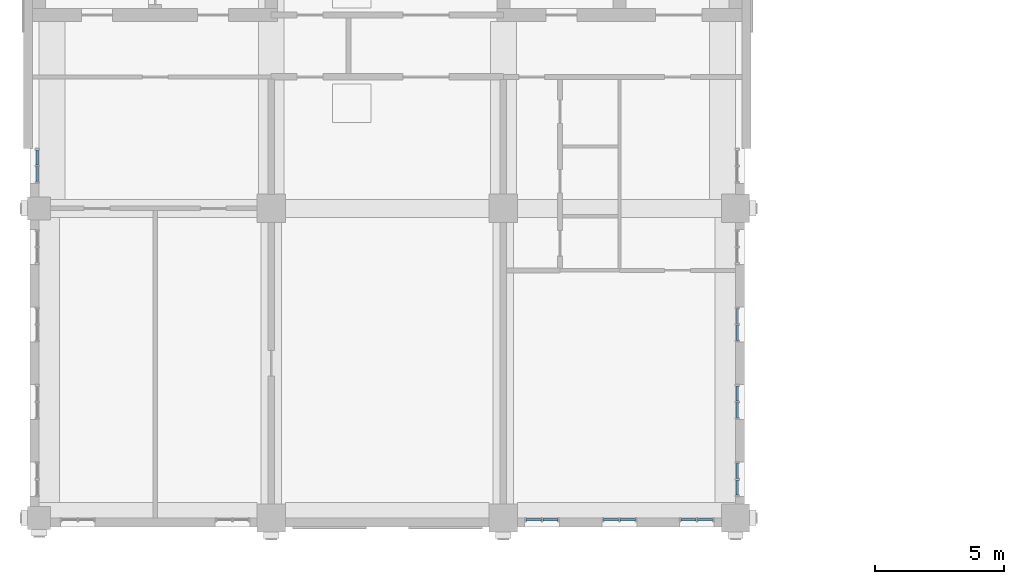
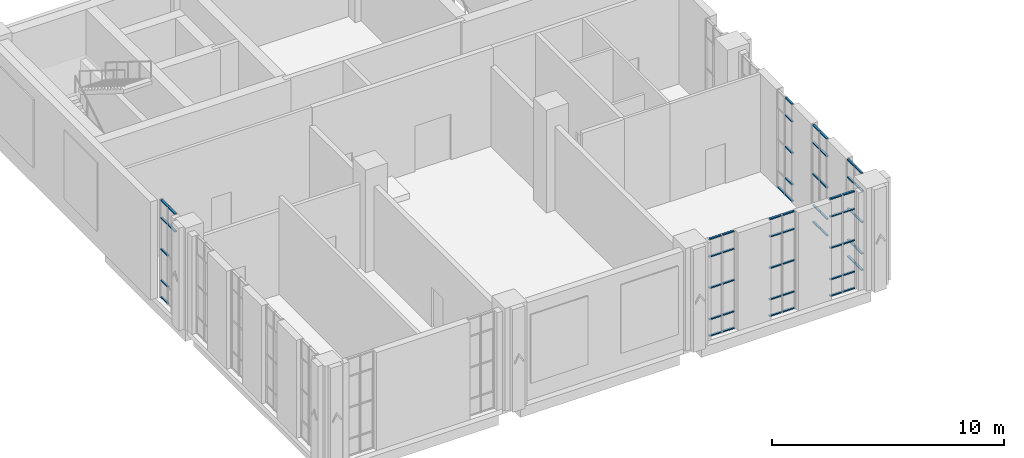
# One storey, part 7 of 25: 63 members, 7 elements without a shape of their own.
"""IFC4 building model written with IfcOpenShell, lengths in metres."""

from ifc_helpers import new_model, si_unit, direction, frame, origin, origin_2d, place, context, subcontext, project, spatial, rectangle, extrude, material, layer, layer_set, material_profile, profile_set, type_object, element, aggregate, save


model = new_model("IFC4")

# Units and contexts
model_context = context("Model", 3, precision=1e-05, world=origin(), true_north=direction((0.0, 1.0)))
body_context = subcontext(model_context, "Body", "Model", "MODEL_VIEW")
ifc_project = project(units=[si_unit("LENGTHUNIT", "METRE"), si_unit("AREAUNIT", "SQUARE_METRE"), si_unit("VOLUMEUNIT", "CUBIC_METRE"), si_unit("PLANEANGLEUNIT", "RADIAN"), si_unit("MASSUNIT", "GRAM", prefix="KILO")], contexts=[model_context])

# Site, building, storey
site_placement = place(None, origin())
site = spatial("IfcSite", under=ifc_project, at=site_placement, CompositionType="ELEMENT")
building_placement = place(site_placement, origin())
building = spatial("IfcBuilding", under=site, at=building_placement, Name="Aurelan Courthouse", CompositionType="ELEMENT")
storey_placement = place(building_placement, frame((0.0, 0.0, 33.60009765625)))
storey = spatial("IfcBuildingStorey", under=building, at=storey_placement, Name="L06", CompositionType="ELEMENT", Elevation=33.60009765625)

# Curtain wall, members
ifc_material_1 = material(Name="Bronze-finished aluminium and glass", Category="aluminium")
ifc_layer = layer(ifc_material_1, 0.14990234375)
ifc_layer_set = layer_set([ifc_layer], Name="Bronze-finished aluminium and glass")
curtain_wall_type = type_object("IfcCurtainWallType", Name="Curtain wall 1350 x 5150", PredefinedType="NOTDEFINED", material=ifc_layer_set)
curtain_wall_1_placement = place(storey_placement, origin())
curtain_wall_1 = element("IfcCurtainWall", 1, at=curtain_wall_1_placement, inside=storey, type_object=curtain_wall_type, Name="Curtain wall CW-V5-L06-S03", PredefinedType="NOTDEFINED")
ifc_material_2 = material(Name="Bronze-finished aluminium", Category="aluminium")
ifc_material_profile = material_profile(ifc_material_2, rectangle(XDim=0.10009765625, YDim=0.06005859375, at=origin_2d()), Name="Bronze transom 60 x 100")
ifc_profile_set = profile_set([ifc_material_profile], Name="Bronze-finished aluminium")
member_type = type_object("IfcMemberType", Name="Curtain wall transom 60 x 100", PredefinedType="USERDEFINED", material=ifc_profile_set)
member_1_placement = place(storey_placement, frame((18.885009765625, -0.074951171875, 0.02978515625), z_axis=(1.0, 0.0, 0.0), x_axis=(0.0, 1.0, 0.0)))
member_1 = element("IfcMember", 2, at=member_1_placement, type_object=member_type, Name="CW-V5-L06-S03 transom 1.1", ObjectType="TRANSOM", PredefinedType="USERDEFINED", context=body_context, shape_type="SweptSolid", body=[
    extrude(rectangle(XDim=0.10009765625, YDim=0.06005859375, at=origin_2d()), origin(), (0.0, 0.0, 1.0), 0.5849609375),
])
member_2_placement = place(storey_placement, frame((18.885009765625, -0.074951171875, 0.89990234375), z_axis=(1.0, 0.0, 0.0), x_axis=(0.0, 1.0, 0.0)))
member_2 = element("IfcMember", 3, at=member_2_placement, type_object=member_type, Name="CW-V5-L06-S03 transom 1.2", ObjectType="TRANSOM", PredefinedType="USERDEFINED", context=body_context, shape_type="SweptSolid", body=[
    extrude(rectangle(XDim=0.10009765625, YDim=0.06005859375, at=origin_2d()), origin(), (0.0, 0.0, 1.0), 0.5849609375),
])
member_3_placement = place(storey_placement, frame((18.885009765625, -0.074951171875, 2.5498046875), z_axis=(1.0, 0.0, 0.0), x_axis=(0.0, 1.0, 0.0)))
member_3 = element("IfcMember", 4, at=member_3_placement, type_object=member_type, Name="CW-V5-L06-S03 transom 1.3", ObjectType="TRANSOM", PredefinedType="USERDEFINED", context=body_context, shape_type="SweptSolid", body=[
    extrude(rectangle(XDim=0.10009765625, YDim=0.06005859375, at=origin_2d()), origin(), (0.0, 0.0, 1.0), 0.5849609375),
])
member_4_placement = place(storey_placement, frame((18.885009765625, -0.074951171875, 4.199951171875), z_axis=(1.0, 0.0, 0.0), x_axis=(0.0, 1.0, 0.0)))
member_4 = element("IfcMember", 5, at=member_4_placement, type_object=member_type, Name="CW-V5-L06-S03 transom 1.4", ObjectType="TRANSOM", PredefinedType="USERDEFINED", context=body_context, shape_type="SweptSolid", body=[
    extrude(rectangle(XDim=0.10009765625, YDim=0.06005859375, at=origin_2d()), origin(), (0.0, 0.0, 1.0), 0.5849609375),
])
member_5_placement = place(storey_placement, frame((18.885009765625, -0.074951171875, 5.119873046875), z_axis=(1.0, 0.0, 0.0), x_axis=(0.0, 1.0, 0.0)))
member_5 = element("IfcMember", 6, at=member_5_placement, type_object=member_type, Name="CW-V5-L06-S03 transom 1.5", ObjectType="TRANSOM", PredefinedType="USERDEFINED", context=body_context, shape_type="SweptSolid", body=[
    extrude(rectangle(XDim=0.10009765625, YDim=0.06005859375, at=origin_2d()), origin(), (0.0, 0.0, 1.0), 0.5849609375),
])
member_6_placement = place(storey_placement, frame((19.530029296875, -0.074951171875, 0.02978515625), z_axis=(1.0, 0.0, 0.0), x_axis=(0.0, 1.0, 0.0)))
member_6 = element("IfcMember", 7, at=member_6_placement, type_object=member_type, Name="CW-V5-L06-S03 transom 2.1", ObjectType="TRANSOM", PredefinedType="USERDEFINED", context=body_context, shape_type="SweptSolid", body=[
    extrude(rectangle(XDim=0.10009765625, YDim=0.06005859375, at=origin_2d()), origin(), (0.0, 0.0, 1.0), 0.5849609375),
])
member_7_placement = place(storey_placement, frame((19.530029296875, -0.074951171875, 0.89990234375), z_axis=(1.0, 0.0, 0.0), x_axis=(0.0, 1.0, 0.0)))
member_7 = element("IfcMember", 8, at=member_7_placement, type_object=member_type, Name="CW-V5-L06-S03 transom 2.2", ObjectType="TRANSOM", PredefinedType="USERDEFINED", context=body_context, shape_type="SweptSolid", body=[
    extrude(rectangle(XDim=0.10009765625, YDim=0.06005859375, at=origin_2d()), origin(), (0.0, 0.0, 1.0), 0.5849609375),
])
member_8_placement = place(storey_placement, frame((19.530029296875, -0.074951171875, 2.5498046875), z_axis=(1.0, 0.0, 0.0), x_axis=(0.0, 1.0, 0.0)))
member_8 = element("IfcMember", 9, at=member_8_placement, type_object=member_type, Name="CW-V5-L06-S03 transom 2.3", ObjectType="TRANSOM", PredefinedType="USERDEFINED", context=body_context, shape_type="SweptSolid", body=[
    extrude(rectangle(XDim=0.10009765625, YDim=0.06005859375, at=origin_2d()), origin(), (0.0, 0.0, 1.0), 0.5849609375),
])
member_9_placement = place(storey_placement, frame((19.530029296875, -0.074951171875, 4.199951171875), z_axis=(1.0, 0.0, 0.0), x_axis=(0.0, 1.0, 0.0)))
member_9 = element("IfcMember", 10, at=member_9_placement, type_object=member_type, Name="CW-V5-L06-S03 transom 2.4", ObjectType="TRANSOM", PredefinedType="USERDEFINED", context=body_context, shape_type="SweptSolid", body=[
    extrude(rectangle(XDim=0.10009765625, YDim=0.06005859375, at=origin_2d()), origin(), (0.0, 0.0, 1.0), 0.5849609375),
])
member_10_placement = place(storey_placement, frame((19.530029296875, -0.074951171875, 5.119873046875), z_axis=(1.0, 0.0, 0.0), x_axis=(0.0, 1.0, 0.0)))
member_10 = element("IfcMember", 11, at=member_10_placement, type_object=member_type, Name="CW-V5-L06-S03 transom 2.5", ObjectType="TRANSOM", PredefinedType="USERDEFINED", context=body_context, shape_type="SweptSolid", body=[
    extrude(rectangle(XDim=0.10009765625, YDim=0.06005859375, at=origin_2d()), origin(), (0.0, 0.0, 1.0), 0.5849609375),
])
aggregate(curtain_wall_1, [member_1, member_2, member_3, member_4, member_5, member_6, member_7, member_8, member_9, member_10])

curtain_wall_2_placement = place(storey_placement, origin())
curtain_wall_2 = element("IfcCurtainWall", 12, at=curtain_wall_2_placement, inside=storey, type_object=curtain_wall_type, Name="Curtain wall CW-V5-L06-S04", PredefinedType="NOTDEFINED")
member_11_placement = place(storey_placement, frame((21.885009765625, -0.074951171875, 0.02978515625), z_axis=(1.0, 0.0, 0.0), x_axis=(0.0, 1.0, 0.0)))
member_11 = element("IfcMember", 13, at=member_11_placement, type_object=member_type, Name="CW-V5-L06-S04 transom 1.1", ObjectType="TRANSOM", PredefinedType="USERDEFINED", context=body_context, shape_type="SweptSolid", body=[
    extrude(rectangle(XDim=0.10009765625, YDim=0.06005859375, at=origin_2d()), origin(), (0.0, 0.0, 1.0), 0.5849609375),
])
member_12_placement = place(storey_placement, frame((21.885009765625, -0.074951171875, 0.89990234375), z_axis=(1.0, 0.0, 0.0), x_axis=(0.0, 1.0, 0.0)))
member_12 = element("IfcMember", 14, at=member_12_placement, type_object=member_type, Name="CW-V5-L06-S04 transom 1.2", ObjectType="TRANSOM", PredefinedType="USERDEFINED", context=body_context, shape_type="SweptSolid", body=[
    extrude(rectangle(XDim=0.10009765625, YDim=0.06005859375, at=origin_2d()), origin(), (0.0, 0.0, 1.0), 0.5849609375),
])
member_13_placement = place(storey_placement, frame((21.885009765625, -0.074951171875, 2.5498046875), z_axis=(1.0, 0.0, 0.0), x_axis=(0.0, 1.0, 0.0)))
member_13 = element("IfcMember", 15, at=member_13_placement, type_object=member_type, Name="CW-V5-L06-S04 transom 1.3", ObjectType="TRANSOM", PredefinedType="USERDEFINED", context=body_context, shape_type="SweptSolid", body=[
    extrude(rectangle(XDim=0.10009765625, YDim=0.06005859375, at=origin_2d()), origin(), (0.0, 0.0, 1.0), 0.5849609375),
])
member_14_placement = place(storey_placement, frame((21.885009765625, -0.074951171875, 4.199951171875), z_axis=(1.0, 0.0, 0.0), x_axis=(0.0, 1.0, 0.0)))
member_14 = element("IfcMember", 16, at=member_14_placement, type_object=member_type, Name="CW-V5-L06-S04 transom 1.4", ObjectType="TRANSOM", PredefinedType="USERDEFINED", context=body_context, shape_type="SweptSolid", body=[
    extrude(rectangle(XDim=0.10009765625, YDim=0.06005859375, at=origin_2d()), origin(), (0.0, 0.0, 1.0), 0.5849609375),
])
member_15_placement = place(storey_placement, frame((21.885009765625, -0.074951171875, 5.119873046875), z_axis=(1.0, 0.0, 0.0), x_axis=(0.0, 1.0, 0.0)))
member_15 = element("IfcMember", 17, at=member_15_placement, type_object=member_type, Name="CW-V5-L06-S04 transom 1.5", ObjectType="TRANSOM", PredefinedType="USERDEFINED", context=body_context, shape_type="SweptSolid", body=[
    extrude(rectangle(XDim=0.10009765625, YDim=0.06005859375, at=origin_2d()), origin(), (0.0, 0.0, 1.0), 0.5849609375),
])
member_16_placement = place(storey_placement, frame((22.530029296875, -0.074951171875, 0.02978515625), z_axis=(1.0, 0.0, 0.0), x_axis=(0.0, 1.0, 0.0)))
member_16 = element("IfcMember", 18, at=member_16_placement, type_object=member_type, Name="CW-V5-L06-S04 transom 2.1", ObjectType="TRANSOM", PredefinedType="USERDEFINED", context=body_context, shape_type="SweptSolid", body=[
    extrude(rectangle(XDim=0.10009765625, YDim=0.06005859375, at=origin_2d()), origin(), (0.0, 0.0, 1.0), 0.5849609375),
])
member_17_placement = place(storey_placement, frame((22.530029296875, -0.074951171875, 0.89990234375), z_axis=(1.0, 0.0, 0.0), x_axis=(0.0, 1.0, 0.0)))
member_17 = element("IfcMember", 19, at=member_17_placement, type_object=member_type, Name="CW-V5-L06-S04 transom 2.2", ObjectType="TRANSOM", PredefinedType="USERDEFINED", context=body_context, shape_type="SweptSolid", body=[
    extrude(rectangle(XDim=0.10009765625, YDim=0.06005859375, at=origin_2d()), origin(), (0.0, 0.0, 1.0), 0.5849609375),
])
member_18_placement = place(storey_placement, frame((22.530029296875, -0.074951171875, 2.5498046875), z_axis=(1.0, 0.0, 0.0), x_axis=(0.0, 1.0, 0.0)))
member_18 = element("IfcMember", 20, at=member_18_placement, type_object=member_type, Name="CW-V5-L06-S04 transom 2.3", ObjectType="TRANSOM", PredefinedType="USERDEFINED", context=body_context, shape_type="SweptSolid", body=[
    extrude(rectangle(XDim=0.10009765625, YDim=0.06005859375, at=origin_2d()), origin(), (0.0, 0.0, 1.0), 0.5849609375),
])
member_19_placement = place(storey_placement, frame((22.530029296875, -0.074951171875, 4.199951171875), z_axis=(1.0, 0.0, 0.0), x_axis=(0.0, 1.0, 0.0)))
member_19 = element("IfcMember", 21, at=member_19_placement, type_object=member_type, Name="CW-V5-L06-S04 transom 2.4", ObjectType="TRANSOM", PredefinedType="USERDEFINED", context=body_context, shape_type="SweptSolid", body=[
    extrude(rectangle(XDim=0.10009765625, YDim=0.06005859375, at=origin_2d()), origin(), (0.0, 0.0, 1.0), 0.5849609375),
])
member_20_placement = place(storey_placement, frame((22.530029296875, -0.074951171875, 5.119873046875), z_axis=(1.0, 0.0, 0.0), x_axis=(0.0, 1.0, 0.0)))
member_20 = element("IfcMember", 22, at=member_20_placement, type_object=member_type, Name="CW-V5-L06-S04 transom 2.5", ObjectType="TRANSOM", PredefinedType="USERDEFINED", context=body_context, shape_type="SweptSolid", body=[
    extrude(rectangle(XDim=0.10009765625, YDim=0.06005859375, at=origin_2d()), origin(), (0.0, 0.0, 1.0), 0.5849609375),
])
aggregate(curtain_wall_2, [member_11, member_12, member_13, member_14, member_15, member_16, member_17, member_18, member_19, member_20])

curtain_wall_3_placement = place(storey_placement, origin())
curtain_wall_3 = element("IfcCurtainWall", 23, at=curtain_wall_3_placement, inside=storey, type_object=curtain_wall_type, Name="Curtain wall CW-V5-L06-S05", PredefinedType="NOTDEFINED")
member_21_placement = place(storey_placement, frame((24.885009765625, -0.074951171875, 0.02978515625), z_axis=(1.0, 0.0, 0.0), x_axis=(0.0, 1.0, 0.0)))
member_21 = element("IfcMember", 24, at=member_21_placement, type_object=member_type, Name="CW-V5-L06-S05 transom 1.1", ObjectType="TRANSOM", PredefinedType="USERDEFINED", context=body_context, shape_type="SweptSolid", body=[
    extrude(rectangle(XDim=0.10009765625, YDim=0.06005859375, at=origin_2d()), origin(), (0.0, 0.0, 1.0), 0.5849609375),
])
member_22_placement = place(storey_placement, frame((24.885009765625, -0.074951171875, 0.89990234375), z_axis=(1.0, 0.0, 0.0), x_axis=(0.0, 1.0, 0.0)))
member_22 = element("IfcMember", 25, at=member_22_placement, type_object=member_type, Name="CW-V5-L06-S05 transom 1.2", ObjectType="TRANSOM", PredefinedType="USERDEFINED", context=body_context, shape_type="SweptSolid", body=[
    extrude(rectangle(XDim=0.10009765625, YDim=0.06005859375, at=origin_2d()), origin(), (0.0, 0.0, 1.0), 0.5849609375),
])
member_23_placement = place(storey_placement, frame((24.885009765625, -0.074951171875, 2.5498046875), z_axis=(1.0, 0.0, 0.0), x_axis=(0.0, 1.0, 0.0)))
member_23 = element("IfcMember", 26, at=member_23_placement, type_object=member_type, Name="CW-V5-L06-S05 transom 1.3", ObjectType="TRANSOM", PredefinedType="USERDEFINED", context=body_context, shape_type="SweptSolid", body=[
    extrude(rectangle(XDim=0.10009765625, YDim=0.06005859375, at=origin_2d()), origin(), (0.0, 0.0, 1.0), 0.5849609375),
])
member_24_placement = place(storey_placement, frame((24.885009765625, -0.074951171875, 4.199951171875), z_axis=(1.0, 0.0, 0.0), x_axis=(0.0, 1.0, 0.0)))
member_24 = element("IfcMember", 27, at=member_24_placement, type_object=member_type, Name="CW-V5-L06-S05 transom 1.4", ObjectType="TRANSOM", PredefinedType="USERDEFINED", context=body_context, shape_type="SweptSolid", body=[
    extrude(rectangle(XDim=0.10009765625, YDim=0.06005859375, at=origin_2d()), origin(), (0.0, 0.0, 1.0), 0.5849609375),
])
member_25_placement = place(storey_placement, frame((24.885009765625, -0.074951171875, 5.119873046875), z_axis=(1.0, 0.0, 0.0), x_axis=(0.0, 1.0, 0.0)))
member_25 = element("IfcMember", 28, at=member_25_placement, type_object=member_type, Name="CW-V5-L06-S05 transom 1.5", ObjectType="TRANSOM", PredefinedType="USERDEFINED", context=body_context, shape_type="SweptSolid", body=[
    extrude(rectangle(XDim=0.10009765625, YDim=0.06005859375, at=origin_2d()), origin(), (0.0, 0.0, 1.0), 0.5849609375),
])
member_26_placement = place(storey_placement, frame((25.530029296875, -0.074951171875, 0.02978515625), z_axis=(1.0, 0.0, 0.0), x_axis=(0.0, 1.0, 0.0)))
member_26 = element("IfcMember", 29, at=member_26_placement, type_object=member_type, Name="CW-V5-L06-S05 transom 2.1", ObjectType="TRANSOM", PredefinedType="USERDEFINED", context=body_context, shape_type="SweptSolid", body=[
    extrude(rectangle(XDim=0.10009765625, YDim=0.06005859375, at=origin_2d()), origin(), (0.0, 0.0, 1.0), 0.5849609375),
])
member_27_placement = place(storey_placement, frame((25.530029296875, -0.074951171875, 0.89990234375), z_axis=(1.0, 0.0, 0.0), x_axis=(0.0, 1.0, 0.0)))
member_27 = element("IfcMember", 30, at=member_27_placement, type_object=member_type, Name="CW-V5-L06-S05 transom 2.2", ObjectType="TRANSOM", PredefinedType="USERDEFINED", context=body_context, shape_type="SweptSolid", body=[
    extrude(rectangle(XDim=0.10009765625, YDim=0.06005859375, at=origin_2d()), origin(), (0.0, 0.0, 1.0), 0.5849609375),
])
member_28_placement = place(storey_placement, frame((25.530029296875, -0.074951171875, 2.5498046875), z_axis=(1.0, 0.0, 0.0), x_axis=(0.0, 1.0, 0.0)))
member_28 = element("IfcMember", 31, at=member_28_placement, type_object=member_type, Name="CW-V5-L06-S05 transom 2.3", ObjectType="TRANSOM", PredefinedType="USERDEFINED", context=body_context, shape_type="SweptSolid", body=[
    extrude(rectangle(XDim=0.10009765625, YDim=0.06005859375, at=origin_2d()), origin(), (0.0, 0.0, 1.0), 0.5849609375),
])
member_29_placement = place(storey_placement, frame((25.530029296875, -0.074951171875, 4.199951171875), z_axis=(1.0, 0.0, 0.0), x_axis=(0.0, 1.0, 0.0)))
member_29 = element("IfcMember", 32, at=member_29_placement, type_object=member_type, Name="CW-V5-L06-S05 transom 2.4", ObjectType="TRANSOM", PredefinedType="USERDEFINED", context=body_context, shape_type="SweptSolid", body=[
    extrude(rectangle(XDim=0.10009765625, YDim=0.06005859375, at=origin_2d()), origin(), (0.0, 0.0, 1.0), 0.5849609375),
])
member_30_placement = place(storey_placement, frame((25.530029296875, -0.074951171875, 5.119873046875), z_axis=(1.0, 0.0, 0.0), x_axis=(0.0, 1.0, 0.0)))
member_30 = element("IfcMember", 33, at=member_30_placement, type_object=member_type, Name="CW-V5-L06-S05 transom 2.5", ObjectType="TRANSOM", PredefinedType="USERDEFINED", context=body_context, shape_type="SweptSolid", body=[
    extrude(rectangle(XDim=0.10009765625, YDim=0.06005859375, at=origin_2d()), origin(), (0.0, 0.0, 1.0), 0.5849609375),
])
aggregate(curtain_wall_3, [member_21, member_22, member_23, member_24, member_25, member_26, member_27, member_28, member_29, member_30])

curtain_wall_4_placement = place(storey_placement, origin())
curtain_wall_4 = element("IfcCurtainWall", 34, at=curtain_wall_4_placement, inside=storey, type_object=curtain_wall_type, Name="Curtain wall CW-V5-L06-E01", PredefinedType="NOTDEFINED")
member_31_placement = place(storey_placement, frame((27.074951171875, 0.885009765625, 0.02978515625), z_axis=(0.0, 1.0, 0.0), x_axis=(-1.0, 0.0, 0.0)))
member_31 = element("IfcMember", 35, at=member_31_placement, type_object=member_type, Name="CW-V5-L06-E01 transom 1.1", ObjectType="TRANSOM", PredefinedType="USERDEFINED", context=body_context, shape_type="SweptSolid", body=[
    extrude(rectangle(XDim=0.10009765625, YDim=0.06005859375, at=origin_2d()), origin(), (0.0, 0.0, 1.0), 0.5849609375),
])
member_32_placement = place(storey_placement, frame((27.074951171875, 0.885009765625, 0.89990234375), z_axis=(0.0, 1.0, 0.0), x_axis=(-1.0, 0.0, 0.0)))
member_32 = element("IfcMember", 36, at=member_32_placement, type_object=member_type, Name="CW-V5-L06-E01 transom 1.2", ObjectType="TRANSOM", PredefinedType="USERDEFINED", context=body_context, shape_type="SweptSolid", body=[
    extrude(rectangle(XDim=0.10009765625, YDim=0.06005859375, at=origin_2d()), origin(), (0.0, 0.0, 1.0), 0.5849609375),
])
member_33_placement = place(storey_placement, frame((27.074951171875, 0.885009765625, 2.5498046875), z_axis=(0.0, 1.0, 0.0), x_axis=(-1.0, 0.0, 0.0)))
member_33 = element("IfcMember", 37, at=member_33_placement, type_object=member_type, Name="CW-V5-L06-E01 transom 1.3", ObjectType="TRANSOM", PredefinedType="USERDEFINED", context=body_context, shape_type="SweptSolid", body=[
    extrude(rectangle(XDim=0.10009765625, YDim=0.06005859375, at=origin_2d()), origin(), (0.0, 0.0, 1.0), 0.5849609375),
])
member_34_placement = place(storey_placement, frame((27.074951171875, 0.885009765625, 4.199951171875), z_axis=(0.0, 1.0, 0.0), x_axis=(-1.0, 0.0, 0.0)))
member_34 = element("IfcMember", 38, at=member_34_placement, type_object=member_type, Name="CW-V5-L06-E01 transom 1.4", ObjectType="TRANSOM", PredefinedType="USERDEFINED", context=body_context, shape_type="SweptSolid", body=[
    extrude(rectangle(XDim=0.10009765625, YDim=0.06005859375, at=origin_2d()), origin(), (0.0, 0.0, 1.0), 0.5849609375),
])
member_35_placement = place(storey_placement, frame((27.074951171875, 0.885009765625, 5.119873046875), z_axis=(0.0, 1.0, 0.0), x_axis=(-1.0, 0.0, 0.0)))
member_35 = element("IfcMember", 39, at=member_35_placement, type_object=member_type, Name="CW-V5-L06-E01 transom 1.5", ObjectType="TRANSOM", PredefinedType="USERDEFINED", context=body_context, shape_type="SweptSolid", body=[
    extrude(rectangle(XDim=0.10009765625, YDim=0.06005859375, at=origin_2d()), origin(), (0.0, 0.0, 1.0), 0.5849609375),
])
member_36_placement = place(storey_placement, frame((27.074951171875, 1.530029296875, 0.02978515625), z_axis=(0.0, 1.0, 0.0), x_axis=(-1.0, 0.0, 0.0)))
member_36 = element("IfcMember", 40, at=member_36_placement, type_object=member_type, Name="CW-V5-L06-E01 transom 2.1", ObjectType="TRANSOM", PredefinedType="USERDEFINED", context=body_context, shape_type="SweptSolid", body=[
    extrude(rectangle(XDim=0.10009765625, YDim=0.06005859375, at=origin_2d()), origin(), (0.0, 0.0, 1.0), 0.5849609375),
])
member_37_placement = place(storey_placement, frame((27.074951171875, 1.530029296875, 0.89990234375), z_axis=(0.0, 1.0, 0.0), x_axis=(-1.0, 0.0, 0.0)))
member_37 = element("IfcMember", 41, at=member_37_placement, type_object=member_type, Name="CW-V5-L06-E01 transom 2.2", ObjectType="TRANSOM", PredefinedType="USERDEFINED", context=body_context, shape_type="SweptSolid", body=[
    extrude(rectangle(XDim=0.10009765625, YDim=0.06005859375, at=origin_2d()), origin(), (0.0, 0.0, 1.0), 0.5849609375),
])
member_38_placement = place(storey_placement, frame((27.074951171875, 1.530029296875, 2.5498046875), z_axis=(0.0, 1.0, 0.0), x_axis=(-1.0, 0.0, 0.0)))
member_38 = element("IfcMember", 42, at=member_38_placement, type_object=member_type, Name="CW-V5-L06-E01 transom 2.3", ObjectType="TRANSOM", PredefinedType="USERDEFINED", context=body_context, shape_type="SweptSolid", body=[
    extrude(rectangle(XDim=0.10009765625, YDim=0.06005859375, at=origin_2d()), origin(), (0.0, 0.0, 1.0), 0.5849609375),
])
member_39_placement = place(storey_placement, frame((27.074951171875, 1.530029296875, 4.199951171875), z_axis=(0.0, 1.0, 0.0), x_axis=(-1.0, 0.0, 0.0)))
member_39 = element("IfcMember", 43, at=member_39_placement, type_object=member_type, Name="CW-V5-L06-E01 transom 2.4", ObjectType="TRANSOM", PredefinedType="USERDEFINED", context=body_context, shape_type="SweptSolid", body=[
    extrude(rectangle(XDim=0.10009765625, YDim=0.06005859375, at=origin_2d()), origin(), (0.0, 0.0, 1.0), 0.5849609375),
])
member_40_placement = place(storey_placement, frame((27.074951171875, 1.530029296875, 5.119873046875), z_axis=(0.0, 1.0, 0.0), x_axis=(-1.0, 0.0, 0.0)))
member_40 = element("IfcMember", 44, at=member_40_placement, type_object=member_type, Name="CW-V5-L06-E01 transom 2.5", ObjectType="TRANSOM", PredefinedType="USERDEFINED", context=body_context, shape_type="SweptSolid", body=[
    extrude(rectangle(XDim=0.10009765625, YDim=0.06005859375, at=origin_2d()), origin(), (0.0, 0.0, 1.0), 0.5849609375),
])
aggregate(curtain_wall_4, [member_31, member_32, member_33, member_34, member_35, member_36, member_37, member_38, member_39, member_40])

curtain_wall_5_placement = place(storey_placement, origin())
curtain_wall_5 = element("IfcCurtainWall", 45, at=curtain_wall_5_placement, inside=storey, type_object=curtain_wall_type, Name="Curtain wall CW-V5-L06-E02", PredefinedType="NOTDEFINED")
member_41_placement = place(storey_placement, frame((27.074951171875, 3.885009765625, 0.02978515625), z_axis=(0.0, 1.0, 0.0), x_axis=(-1.0, 0.0, 0.0)))
member_41 = element("IfcMember", 46, at=member_41_placement, type_object=member_type, Name="CW-V5-L06-E02 transom 1.1", ObjectType="TRANSOM", PredefinedType="USERDEFINED", context=body_context, shape_type="SweptSolid", body=[
    extrude(rectangle(XDim=0.10009765625, YDim=0.06005859375, at=origin_2d()), origin(), (0.0, 0.0, 1.0), 0.5849609375),
])
member_42_placement = place(storey_placement, frame((27.074951171875, 3.885009765625, 0.89990234375), z_axis=(0.0, 1.0, 0.0), x_axis=(-1.0, 0.0, 0.0)))
member_42 = element("IfcMember", 47, at=member_42_placement, type_object=member_type, Name="CW-V5-L06-E02 transom 1.2", ObjectType="TRANSOM", PredefinedType="USERDEFINED", context=body_context, shape_type="SweptSolid", body=[
    extrude(rectangle(XDim=0.10009765625, YDim=0.06005859375, at=origin_2d()), origin(), (0.0, 0.0, 1.0), 0.5849609375),
])
member_43_placement = place(storey_placement, frame((27.074951171875, 3.885009765625, 2.5498046875), z_axis=(0.0, 1.0, 0.0), x_axis=(-1.0, 0.0, 0.0)))
member_43 = element("IfcMember", 48, at=member_43_placement, type_object=member_type, Name="CW-V5-L06-E02 transom 1.3", ObjectType="TRANSOM", PredefinedType="USERDEFINED", context=body_context, shape_type="SweptSolid", body=[
    extrude(rectangle(XDim=0.10009765625, YDim=0.06005859375, at=origin_2d()), origin(), (0.0, 0.0, 1.0), 0.5849609375),
])
member_44_placement = place(storey_placement, frame((27.074951171875, 3.885009765625, 4.199951171875), z_axis=(0.0, 1.0, 0.0), x_axis=(-1.0, 0.0, 0.0)))
member_44 = element("IfcMember", 49, at=member_44_placement, type_object=member_type, Name="CW-V5-L06-E02 transom 1.4", ObjectType="TRANSOM", PredefinedType="USERDEFINED", context=body_context, shape_type="SweptSolid", body=[
    extrude(rectangle(XDim=0.10009765625, YDim=0.06005859375, at=origin_2d()), origin(), (0.0, 0.0, 1.0), 0.5849609375),
])
member_45_placement = place(storey_placement, frame((27.074951171875, 3.885009765625, 5.119873046875), z_axis=(0.0, 1.0, 0.0), x_axis=(-1.0, 0.0, 0.0)))
member_45 = element("IfcMember", 50, at=member_45_placement, type_object=member_type, Name="CW-V5-L06-E02 transom 1.5", ObjectType="TRANSOM", PredefinedType="USERDEFINED", context=body_context, shape_type="SweptSolid", body=[
    extrude(rectangle(XDim=0.10009765625, YDim=0.06005859375, at=origin_2d()), origin(), (0.0, 0.0, 1.0), 0.5849609375),
])
member_46_placement = place(storey_placement, frame((27.074951171875, 4.530029296875, 0.02978515625), z_axis=(0.0, 1.0, 0.0), x_axis=(-1.0, 0.0, 0.0)))
member_46 = element("IfcMember", 51, at=member_46_placement, type_object=member_type, Name="CW-V5-L06-E02 transom 2.1", ObjectType="TRANSOM", PredefinedType="USERDEFINED", context=body_context, shape_type="SweptSolid", body=[
    extrude(rectangle(XDim=0.10009765625, YDim=0.06005859375, at=origin_2d()), origin(), (0.0, 0.0, 1.0), 0.5849609375),
])
member_47_placement = place(storey_placement, frame((27.074951171875, 4.530029296875, 0.89990234375), z_axis=(0.0, 1.0, 0.0), x_axis=(-1.0, 0.0, 0.0)))
member_47 = element("IfcMember", 52, at=member_47_placement, type_object=member_type, Name="CW-V5-L06-E02 transom 2.2", ObjectType="TRANSOM", PredefinedType="USERDEFINED", context=body_context, shape_type="SweptSolid", body=[
    extrude(rectangle(XDim=0.10009765625, YDim=0.06005859375, at=origin_2d()), origin(), (0.0, 0.0, 1.0), 0.5849609375),
])
member_48_placement = place(storey_placement, frame((27.074951171875, 4.530029296875, 2.5498046875), z_axis=(0.0, 1.0, 0.0), x_axis=(-1.0, 0.0, 0.0)))
member_48 = element("IfcMember", 53, at=member_48_placement, type_object=member_type, Name="CW-V5-L06-E02 transom 2.3", ObjectType="TRANSOM", PredefinedType="USERDEFINED", context=body_context, shape_type="SweptSolid", body=[
    extrude(rectangle(XDim=0.10009765625, YDim=0.06005859375, at=origin_2d()), origin(), (0.0, 0.0, 1.0), 0.5849609375),
])
member_49_placement = place(storey_placement, frame((27.074951171875, 4.530029296875, 4.199951171875), z_axis=(0.0, 1.0, 0.0), x_axis=(-1.0, 0.0, 0.0)))
member_49 = element("IfcMember", 54, at=member_49_placement, type_object=member_type, Name="CW-V5-L06-E02 transom 2.4", ObjectType="TRANSOM", PredefinedType="USERDEFINED", context=body_context, shape_type="SweptSolid", body=[
    extrude(rectangle(XDim=0.10009765625, YDim=0.06005859375, at=origin_2d()), origin(), (0.0, 0.0, 1.0), 0.5849609375),
])
member_50_placement = place(storey_placement, frame((27.074951171875, 4.530029296875, 5.119873046875), z_axis=(0.0, 1.0, 0.0), x_axis=(-1.0, 0.0, 0.0)))
member_50 = element("IfcMember", 55, at=member_50_placement, type_object=member_type, Name="CW-V5-L06-E02 transom 2.5", ObjectType="TRANSOM", PredefinedType="USERDEFINED", context=body_context, shape_type="SweptSolid", body=[
    extrude(rectangle(XDim=0.10009765625, YDim=0.06005859375, at=origin_2d()), origin(), (0.0, 0.0, 1.0), 0.5849609375),
])
aggregate(curtain_wall_5, [member_41, member_42, member_43, member_44, member_45, member_46, member_47, member_48, member_49, member_50])

curtain_wall_6_placement = place(storey_placement, origin())
curtain_wall_6 = element("IfcCurtainWall", 56, at=curtain_wall_6_placement, inside=storey, type_object=curtain_wall_type, Name="Curtain wall CW-V5-L06-E03", PredefinedType="NOTDEFINED")
member_51_placement = place(storey_placement, frame((27.074951171875, 6.885009765625, 0.02978515625), z_axis=(0.0, 1.0, 0.0), x_axis=(-1.0, 0.0, 0.0)))
member_51 = element("IfcMember", 57, at=member_51_placement, type_object=member_type, Name="CW-V5-L06-E03 transom 1.1", ObjectType="TRANSOM", PredefinedType="USERDEFINED", context=body_context, shape_type="SweptSolid", body=[
    extrude(rectangle(XDim=0.10009765625, YDim=0.06005859375, at=origin_2d()), origin(), (0.0, 0.0, 1.0), 0.5849609375),
])
member_52_placement = place(storey_placement, frame((27.074951171875, 6.885009765625, 0.89990234375), z_axis=(0.0, 1.0, 0.0), x_axis=(-1.0, 0.0, 0.0)))
member_52 = element("IfcMember", 58, at=member_52_placement, type_object=member_type, Name="CW-V5-L06-E03 transom 1.2", ObjectType="TRANSOM", PredefinedType="USERDEFINED", context=body_context, shape_type="SweptSolid", body=[
    extrude(rectangle(XDim=0.10009765625, YDim=0.06005859375, at=origin_2d()), origin(), (0.0, 0.0, 1.0), 0.5849609375),
])
member_53_placement = place(storey_placement, frame((27.074951171875, 6.885009765625, 2.5498046875), z_axis=(0.0, 1.0, 0.0), x_axis=(-1.0, 0.0, 0.0)))
member_53 = element("IfcMember", 59, at=member_53_placement, type_object=member_type, Name="CW-V5-L06-E03 transom 1.3", ObjectType="TRANSOM", PredefinedType="USERDEFINED", context=body_context, shape_type="SweptSolid", body=[
    extrude(rectangle(XDim=0.10009765625, YDim=0.06005859375, at=origin_2d()), origin(), (0.0, 0.0, 1.0), 0.5849609375),
])
member_54_placement = place(storey_placement, frame((27.074951171875, 6.885009765625, 4.199951171875), z_axis=(0.0, 1.0, 0.0), x_axis=(-1.0, 0.0, 0.0)))
member_54 = element("IfcMember", 60, at=member_54_placement, type_object=member_type, Name="CW-V5-L06-E03 transom 1.4", ObjectType="TRANSOM", PredefinedType="USERDEFINED", context=body_context, shape_type="SweptSolid", body=[
    extrude(rectangle(XDim=0.10009765625, YDim=0.06005859375, at=origin_2d()), origin(), (0.0, 0.0, 1.0), 0.5849609375),
])
member_55_placement = place(storey_placement, frame((27.074951171875, 6.885009765625, 5.119873046875), z_axis=(0.0, 1.0, 0.0), x_axis=(-1.0, 0.0, 0.0)))
member_55 = element("IfcMember", 61, at=member_55_placement, type_object=member_type, Name="CW-V5-L06-E03 transom 1.5", ObjectType="TRANSOM", PredefinedType="USERDEFINED", context=body_context, shape_type="SweptSolid", body=[
    extrude(rectangle(XDim=0.10009765625, YDim=0.06005859375, at=origin_2d()), origin(), (0.0, 0.0, 1.0), 0.5849609375),
])
member_56_placement = place(storey_placement, frame((27.074951171875, 7.530029296875, 0.02978515625), z_axis=(0.0, 1.0, 0.0), x_axis=(-1.0, 0.0, 0.0)))
member_56 = element("IfcMember", 62, at=member_56_placement, type_object=member_type, Name="CW-V5-L06-E03 transom 2.1", ObjectType="TRANSOM", PredefinedType="USERDEFINED", context=body_context, shape_type="SweptSolid", body=[
    extrude(rectangle(XDim=0.10009765625, YDim=0.06005859375, at=origin_2d()), origin(), (0.0, 0.0, 1.0), 0.5849609375),
])
aggregate(curtain_wall_6, [member_51, member_52, member_53, member_54, member_55, member_56])

curtain_wall_7_placement = place(storey_placement, origin())
curtain_wall_7 = element("IfcCurtainWall", 63, at=curtain_wall_7_placement, inside=storey, type_object=curtain_wall_type, Name="Curtain wall CW-V5-L06-W05", PredefinedType="NOTDEFINED")
member_57_placement = place(storey_placement, frame((-0.074951171875, 13.034912109375, 4.199951171875), z_axis=(0.0, 1.0, 0.0), x_axis=(-1.0, 0.0, 0.0)))
member_57 = element("IfcMember", 64, at=member_57_placement, type_object=member_type, Name="CW-V5-L06-W05 transom 1.4", ObjectType="TRANSOM", PredefinedType="USERDEFINED", context=body_context, shape_type="SweptSolid", body=[
    extrude(rectangle(XDim=0.10009765625, YDim=0.06005859375, at=origin_2d()), origin(), (0.0, 0.0, 1.0), 0.585205078125),
])
member_58_placement = place(storey_placement, frame((-0.074951171875, 13.034912109375, 5.119873046875), z_axis=(0.0, 1.0, 0.0), x_axis=(-1.0, 0.0, 0.0)))
member_58 = element("IfcMember", 65, at=member_58_placement, type_object=member_type, Name="CW-V5-L06-W05 transom 1.5", ObjectType="TRANSOM", PredefinedType="USERDEFINED", context=body_context, shape_type="SweptSolid", body=[
    extrude(rectangle(XDim=0.10009765625, YDim=0.06005859375, at=origin_2d()), origin(), (0.0, 0.0, 1.0), 0.585205078125),
])
member_59_placement = place(storey_placement, frame((-0.074951171875, 13.679931640625, 0.02978515625), z_axis=(0.0, 1.0, 0.0), x_axis=(-1.0, 0.0, 0.0)))
member_59 = element("IfcMember", 66, at=member_59_placement, type_object=member_type, Name="CW-V5-L06-W05 transom 2.1", ObjectType="TRANSOM", PredefinedType="USERDEFINED", context=body_context, shape_type="SweptSolid", body=[
    extrude(rectangle(XDim=0.10009765625, YDim=0.06005859375, at=origin_2d()), origin(), (0.0, 0.0, 1.0), 0.5849609375),
])
member_60_placement = place(storey_placement, frame((-0.074951171875, 13.679931640625, 0.89990234375), z_axis=(0.0, 1.0, 0.0), x_axis=(-1.0, 0.0, 0.0)))
member_60 = element("IfcMember", 67, at=member_60_placement, type_object=member_type, Name="CW-V5-L06-W05 transom 2.2", ObjectType="TRANSOM", PredefinedType="USERDEFINED", context=body_context, shape_type="SweptSolid", body=[
    extrude(rectangle(XDim=0.10009765625, YDim=0.06005859375, at=origin_2d()), origin(), (0.0, 0.0, 1.0), 0.5849609375),
])
member_61_placement = place(storey_placement, frame((-0.074951171875, 13.679931640625, 2.5498046875), z_axis=(0.0, 1.0, 0.0), x_axis=(-1.0, 0.0, 0.0)))
member_61 = element("IfcMember", 68, at=member_61_placement, type_object=member_type, Name="CW-V5-L06-W05 transom 2.3", ObjectType="TRANSOM", PredefinedType="USERDEFINED", context=body_context, shape_type="SweptSolid", body=[
    extrude(rectangle(XDim=0.10009765625, YDim=0.06005859375, at=origin_2d()), origin(), (0.0, 0.0, 1.0), 0.5849609375),
])
member_62_placement = place(storey_placement, frame((-0.074951171875, 13.679931640625, 4.199951171875), z_axis=(0.0, 1.0, 0.0), x_axis=(-1.0, 0.0, 0.0)))
member_62 = element("IfcMember", 69, at=member_62_placement, type_object=member_type, Name="CW-V5-L06-W05 transom 2.4", ObjectType="TRANSOM", PredefinedType="USERDEFINED", context=body_context, shape_type="SweptSolid", body=[
    extrude(rectangle(XDim=0.10009765625, YDim=0.06005859375, at=origin_2d()), origin(), (0.0, 0.0, 1.0), 0.5849609375),
])
member_63_placement = place(storey_placement, frame((-0.074951171875, 13.679931640625, 5.119873046875), z_axis=(0.0, 1.0, 0.0), x_axis=(-1.0, 0.0, 0.0)))
member_63 = element("IfcMember", 70, at=member_63_placement, type_object=member_type, Name="CW-V5-L06-W05 transom 2.5", ObjectType="TRANSOM", PredefinedType="USERDEFINED", context=body_context, shape_type="SweptSolid", body=[
    extrude(rectangle(XDim=0.10009765625, YDim=0.06005859375, at=origin_2d()), origin(), (0.0, 0.0, 1.0), 0.5849609375),
])
aggregate(curtain_wall_7, [member_57, member_58, member_59, member_60, member_61, member_62, member_63])

save(model, "model.ifc")
